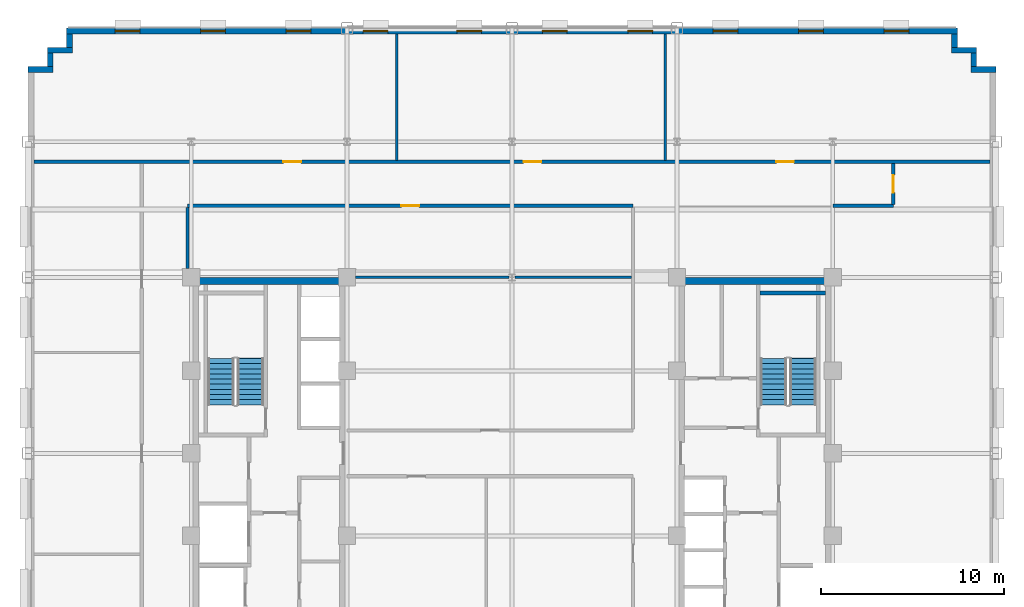
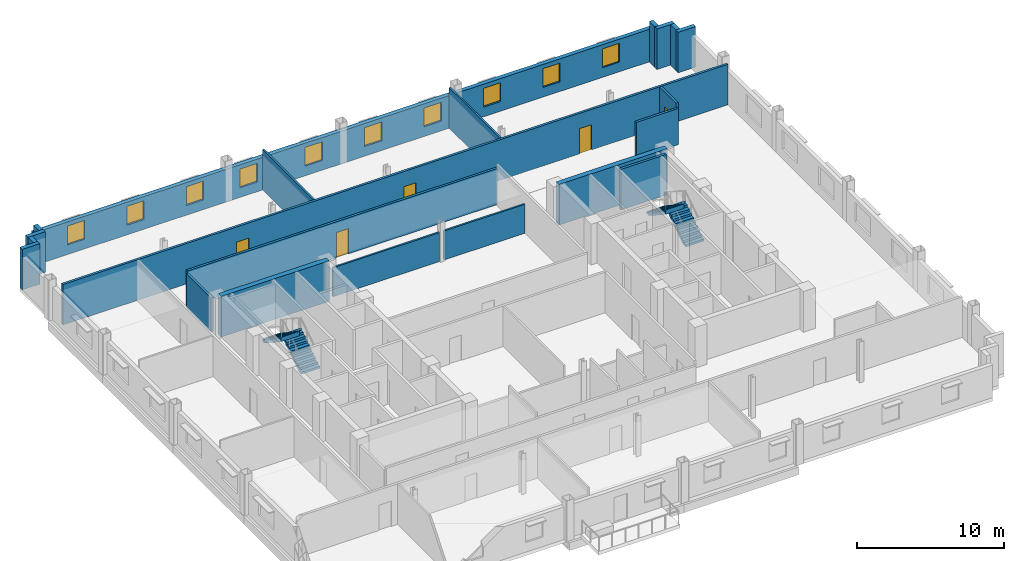
# One storey, part 9 of 13: 21 walls, 10 windows, 5 doors, 4 stair flights, 15 openings, 2 elements without a shape of their own.
"""IFC4 building model written with IfcOpenShell, lengths in metres."""

from ifc_helpers import new_model, si_unit, direction, frame, frame_2d, origin, place, context, subcontext, project, spatial, polyline, rectangle, outline, extrude, source, transform, mapped, material, layer, layer_set, type_object, type_shapes, element, fill, aggregate, save


model = new_model("IFC4")

# Units and contexts
model_context = context("Model", 3, precision=1e-05, world=origin(), true_north=direction((0.0, 1.0)))
body_context = subcontext(model_context, "Body", "Model", "MODEL_VIEW")
ifc_project = project(units=[si_unit("LENGTHUNIT", "METRE"), si_unit("AREAUNIT", "SQUARE_METRE"), si_unit("VOLUMEUNIT", "CUBIC_METRE"), si_unit("PLANEANGLEUNIT", "RADIAN"), si_unit("MASSUNIT", "GRAM", prefix="KILO")], contexts=[model_context])

# Site, building, storey
site_placement = place(None, origin())
site = spatial("IfcSite", under=ifc_project, at=site_placement, CompositionType="ELEMENT")
building_placement = place(site_placement, origin())
building = spatial("IfcBuilding", under=site, at=building_placement, Name="Nuvemarco Arch Tower", CompositionType="ELEMENT")
storey_placement = place(building_placement, frame((0.0, 0.0, 156.699951171875)))
storey = spatial("IfcBuildingStorey", under=building, at=storey_placement, Name="L41", CompositionType="ELEMENT", Elevation=156.699951171875)

# Walls
ifc_material_1 = material(Name="Precast concrete C45/55", Category="concrete")
ifc_layer_1 = layer(ifc_material_1, 0.320068359375, Name="EW-MID-320")
ifc_layer_set_1 = layer_set([ifc_layer_1], Name="Precast concrete C45/55")
wall_type_1 = type_object("IfcWallType", Name="EW-MID-320", PredefinedType="STANDARD", material=ifc_layer_set_1)
wall_1_placement = place(storey_placement, frame((25.030029296875, 20.93994140625, 0.0), z_axis=(0.0, 0.0, 1.0), x_axis=(1.0, 0.0, 0.0)))
element("IfcWall", 1, at=wall_1_placement, inside=storey, type_object=wall_type_1, Name="L41 exterior precast facade wall 7", PredefinedType="STANDARD", context=body_context, shape_type="SweptSolid", body=[
    extrude(rectangle(XDim=1.369873046875, YDim=0.320068359375, at=frame_2d((0.68505859375, 0.0))), origin(), (0.0, 0.0, 1.0), 3.360107421875),
])
wall_2_placement = place(storey_placement, frame((25.18994140625, 21.095947265625, 0.0), z_axis=(0.0, 0.0, 1.0), x_axis=(0.0, 1.0, 0.0)))
element("IfcWall", 2, at=wall_2_placement, inside=storey, type_object=wall_type_1, Name="L41 exterior precast facade wall 8", PredefinedType="STANDARD", context=body_context, shape_type="SweptSolid", body=[
    extrude(rectangle(XDim=0.738037109375, YDim=0.320068359375, at=frame_2d((0.369140625, 0.0))), origin(), (0.0, 0.0, 1.0), 3.360107421875),
])
wall_3_placement = place(storey_placement, frame((23.97998046875, 21.989990234375, 0.0), z_axis=(0.0, 0.0, 1.0), x_axis=(1.0, 0.0, 0.0)))
element("IfcWall", 3, at=wall_3_placement, inside=storey, type_object=wall_type_1, Name="L41 exterior precast facade wall 9", PredefinedType="STANDARD", context=body_context, shape_type="SweptSolid", body=[
    extrude(rectangle(XDim=1.3701171875, YDim=0.320068359375, at=frame_2d((0.68505859375, 0.0))), origin(), (0.0, 0.0, 1.0), 3.360107421875),
])
wall_4_placement = place(storey_placement, frame((24.139892578125, 22.14599609375, 0.0), z_axis=(0.0, 0.0, 1.0), x_axis=(0.0, 1.0, 0.0)))
element("IfcWall", 4, at=wall_4_placement, inside=storey, type_object=wall_type_1, Name="L41 exterior precast facade wall 10", PredefinedType="STANDARD", context=body_context, shape_type="SweptSolid", body=[
    extrude(rectangle(XDim=0.738037109375, YDim=0.320068359375, at=frame_2d((0.369140625, 0.0))), origin(), (0.0, 0.0, 1.0), 3.360107421875),
])

# Wall, openings, windows
wall_5_placement = place(storey_placement, frame((-24.300048828125, 23.0400390625, 0.0), z_axis=(0.0, 0.0, 1.0), x_axis=(1.0, 0.0, 0.0)))
wall_5 = element("IfcWall", 5, at=wall_5_placement, inside=storey, type_object=wall_type_1, Name="L41 exterior precast facade wall 11", PredefinedType="STANDARD", context=body_context, shape_type="SweptSolid", body=[
    extrude(rectangle(XDim=48.60009765625, YDim=0.320068359375, at=frame_2d((24.300048828125, 0.0))), origin(), (0.0, 0.0, 1.0), 2.705078125),
])
opening_1_placement = place(wall_5_placement, frame((2.655029296875, 0.0, 0.800048828125)))
opening_1 = element("IfcOpeningElement", 6, at=opening_1_placement, cuts=wall_5, Name="Opening WN-6", PredefinedType="OPENING", context=body_context, shape_type="SweptSolid", body=[
    extrude(rectangle(XDim=1.35009765625, YDim=1.56005859375, at=frame_2d((0.675048828125, 0.780029296875))), frame((0.0, 0.169921875, 0.0), z_axis=(0.0, -1.0, 0.0), x_axis=(1.0, 0.0, 0.0)), (0.0, 0.0, 1.0), 0.340087890625),
])
opening_2_placement = place(wall_5_placement, frame((7.31494140625, 0.0, 0.800048828125)))
opening_2 = element("IfcOpeningElement", 7, at=opening_2_placement, cuts=wall_5, Name="Opening WN-6", PredefinedType="OPENING", context=body_context, shape_type="SweptSolid", body=[
    extrude(rectangle(XDim=1.35009765625, YDim=1.56005859375, at=frame_2d((0.675048828125, 0.780029296875))), frame((0.0, 0.169921875, 0.0), z_axis=(0.0, -1.0, 0.0), x_axis=(1.0, 0.0, 0.0)), (0.0, 0.0, 1.0), 0.340087890625),
])
opening_3_placement = place(wall_5_placement, frame((11.97509765625, 0.0, 0.800048828125)))
opening_3 = element("IfcOpeningElement", 8, at=opening_3_placement, cuts=wall_5, Name="Opening WN-6", PredefinedType="OPENING", context=body_context, shape_type="SweptSolid", body=[
    extrude(rectangle(XDim=1.35009765625, YDim=1.56005859375, at=frame_2d((0.675048828125, 0.780029296875))), frame((0.0, 0.169921875, 0.0), z_axis=(0.0, -1.0, 0.0), x_axis=(1.0, 0.0, 0.0)), (0.0, 0.0, 1.0), 0.340087890625),
])
opening_4_placement = place(wall_5_placement, frame((16.18505859375, 0.0, 0.800048828125)))
opening_4 = element("IfcOpeningElement", 9, at=opening_4_placement, cuts=wall_5, Name="Opening WN-6", PredefinedType="OPENING", context=body_context, shape_type="SweptSolid", body=[
    extrude(rectangle(XDim=1.35009765625, YDim=1.56005859375, at=frame_2d((0.675048828125, 0.780029296875))), frame((0.0, 0.169921875, 0.0), z_axis=(0.0, -1.0, 0.0), x_axis=(1.0, 0.0, 0.0)), (0.0, 0.0, 1.0), 0.340087890625),
])
opening_5_placement = place(wall_5_placement, frame((21.294921875, 0.0, 0.800048828125)))
opening_5 = element("IfcOpeningElement", 10, at=opening_5_placement, cuts=wall_5, Name="Opening WN-6", PredefinedType="OPENING", context=body_context, shape_type="SweptSolid", body=[
    extrude(rectangle(XDim=1.35009765625, YDim=1.56005859375, at=frame_2d((0.675048828125, 0.780029296875))), frame((0.0, 0.169921875, 0.0), z_axis=(0.0, -1.0, 0.0), x_axis=(1.0, 0.0, 0.0)), (0.0, 0.0, 1.0), 0.340087890625),
])
opening_6_placement = place(wall_5_placement, frame((25.955078125, 0.0, 0.800048828125)))
opening_6 = element("IfcOpeningElement", 11, at=opening_6_placement, cuts=wall_5, Name="Opening WN-6", PredefinedType="OPENING", context=body_context, shape_type="SweptSolid", body=[
    extrude(rectangle(XDim=1.35009765625, YDim=1.56005859375, at=frame_2d((0.675048828125, 0.780029296875))), frame((0.0, 0.169921875, 0.0), z_axis=(0.0, -1.0, 0.0), x_axis=(1.0, 0.0, 0.0)), (0.0, 0.0, 1.0), 0.340087890625),
])
opening_7_placement = place(wall_5_placement, frame((30.614990234375, 0.0, 0.800048828125)))
opening_7 = element("IfcOpeningElement", 12, at=opening_7_placement, cuts=wall_5, Name="Opening WN-6", PredefinedType="OPENING", context=body_context, shape_type="SweptSolid", body=[
    extrude(rectangle(XDim=1.35009765625, YDim=1.56005859375, at=frame_2d((0.675048828125, 0.780029296875))), frame((0.0, 0.169921875, 0.0), z_axis=(0.0, -1.0, 0.0), x_axis=(1.0, 0.0, 0.0)), (0.0, 0.0, 1.0), 0.340087890625),
])
opening_8_placement = place(wall_5_placement, frame((35.27490234375, 0.0, 0.800048828125)))
opening_8 = element("IfcOpeningElement", 13, at=opening_8_placement, cuts=wall_5, Name="Opening WN-6", PredefinedType="OPENING", context=body_context, shape_type="SweptSolid", body=[
    extrude(rectangle(XDim=1.35009765625, YDim=1.56005859375, at=frame_2d((0.675048828125, 0.780029296875))), frame((0.0, 0.169921875, 0.0), z_axis=(0.0, -1.0, 0.0), x_axis=(1.0, 0.0, 0.0)), (0.0, 0.0, 1.0), 0.340087890625),
])
opening_9_placement = place(wall_5_placement, frame((39.93505859375, 0.0, 0.800048828125)))
opening_9 = element("IfcOpeningElement", 14, at=opening_9_placement, cuts=wall_5, Name="Opening WN-6", PredefinedType="OPENING", context=body_context, shape_type="SweptSolid", body=[
    extrude(rectangle(XDim=1.35009765625, YDim=1.56005859375, at=frame_2d((0.675048828125, 0.780029296875))), frame((0.0, 0.169921875, 0.0), z_axis=(0.0, -1.0, 0.0), x_axis=(1.0, 0.0, 0.0)), (0.0, 0.0, 1.0), 0.340087890625),
])
opening_10_placement = place(wall_5_placement, frame((44.594970703125, 0.0, 0.800048828125)))
opening_10 = element("IfcOpeningElement", 15, at=opening_10_placement, cuts=wall_5, Name="Opening WN-6", PredefinedType="OPENING", context=body_context, shape_type="SweptSolid", body=[
    extrude(rectangle(XDim=1.35009765625, YDim=1.56005859375, at=frame_2d((0.675048828125, 0.780029296875))), frame((0.0, 0.169921875, 0.0), z_axis=(0.0, -1.0, 0.0), x_axis=(1.0, 0.0, 0.0)), (0.0, 0.0, 1.0), 0.340087890625),
])
ifc_material_2 = material(Name="Insulated solar-control glass", Category="glass")
window_type = type_object("IfcWindowType", Name="WN-MID-1350x1560", PartitioningType="SINGLE_PANEL", PredefinedType="WINDOW", material=ifc_material_2)
shared_shape_1 = source(origin(), body_context, "Body", "SweptSolid", [
    extrude(rectangle(XDim=1.35009765625, YDim=1.56005859375, at=frame_2d((0.675048828125, 0.780029296875))), frame((0.0, 0.030029296875, 0.0), z_axis=(0.0, -1.0, 0.0), x_axis=(1.0, 0.0, 0.0)), (0.0, 0.0, 1.0), 0.06005859375),
])
type_shapes(window_type, [shared_shape_1])
window_1_placement = place(opening_1_placement, origin())
window_1 = element("IfcWindow", 16, at=window_1_placement, inside=storey, type_object=window_type, Name="L41 punched facade window 1", OverallHeight=1.56005859375, OverallWidth=1.35009765625, PartitioningType="SINGLE_PANEL", PredefinedType="WINDOW", context=body_context, shape_type="MappedRepresentation", body=[
    mapped(shared_shape_1, transform((0.0, 0.0, 0.0), scale=1.0)),
])
fill(opening_1, window_1)
window_2_placement = place(opening_2_placement, origin())
window_2 = element("IfcWindow", 17, at=window_2_placement, inside=storey, type_object=window_type, Name="L41 punched facade window 2", OverallHeight=1.56005859375, OverallWidth=1.35009765625, PartitioningType="SINGLE_PANEL", PredefinedType="WINDOW", context=body_context, shape_type="MappedRepresentation", body=[
    mapped(shared_shape_1, transform((0.0, 0.0, 0.0), scale=1.0)),
])
fill(opening_2, window_2)
window_3_placement = place(opening_3_placement, origin())
window_3 = element("IfcWindow", 18, at=window_3_placement, inside=storey, type_object=window_type, Name="L41 punched facade window 3", OverallHeight=1.56005859375, OverallWidth=1.35009765625, PartitioningType="SINGLE_PANEL", PredefinedType="WINDOW", context=body_context, shape_type="MappedRepresentation", body=[
    mapped(shared_shape_1, transform((0.0, 0.0, 0.0), scale=1.0)),
])
fill(opening_3, window_3)
window_4_placement = place(opening_4_placement, origin())
window_4 = element("IfcWindow", 19, at=window_4_placement, inside=storey, type_object=window_type, Name="L41 punched facade window 4", OverallHeight=1.56005859375, OverallWidth=1.35009765625, PartitioningType="SINGLE_PANEL", PredefinedType="WINDOW", context=body_context, shape_type="MappedRepresentation", body=[
    mapped(shared_shape_1, transform((0.0, 0.0, 0.0), scale=1.0)),
])
fill(opening_4, window_4)
window_5_placement = place(opening_5_placement, origin())
window_5 = element("IfcWindow", 20, at=window_5_placement, inside=storey, type_object=window_type, Name="L41 punched facade window 5", OverallHeight=1.56005859375, OverallWidth=1.35009765625, PartitioningType="SINGLE_PANEL", PredefinedType="WINDOW", context=body_context, shape_type="MappedRepresentation", body=[
    mapped(shared_shape_1, transform((0.0, 0.0, 0.0), scale=1.0)),
])
fill(opening_5, window_5)
window_6_placement = place(opening_6_placement, origin())
window_6 = element("IfcWindow", 21, at=window_6_placement, inside=storey, type_object=window_type, Name="L41 punched facade window 6", OverallHeight=1.56005859375, OverallWidth=1.35009765625, PartitioningType="SINGLE_PANEL", PredefinedType="WINDOW", context=body_context, shape_type="MappedRepresentation", body=[
    mapped(shared_shape_1, transform((0.0, 0.0, 0.0), scale=1.0)),
])
fill(opening_6, window_6)
window_7_placement = place(opening_7_placement, origin())
window_7 = element("IfcWindow", 22, at=window_7_placement, inside=storey, type_object=window_type, Name="L41 punched facade window 7", OverallHeight=1.56005859375, OverallWidth=1.35009765625, PartitioningType="SINGLE_PANEL", PredefinedType="WINDOW", context=body_context, shape_type="MappedRepresentation", body=[
    mapped(shared_shape_1, transform((0.0, 0.0, 0.0), scale=1.0)),
])
fill(opening_7, window_7)
window_8_placement = place(opening_8_placement, origin())
window_8 = element("IfcWindow", 23, at=window_8_placement, inside=storey, type_object=window_type, Name="L41 punched facade window 8", OverallHeight=1.56005859375, OverallWidth=1.35009765625, PartitioningType="SINGLE_PANEL", PredefinedType="WINDOW", context=body_context, shape_type="MappedRepresentation", body=[
    mapped(shared_shape_1, transform((0.0, 0.0, 0.0), scale=1.0)),
])
fill(opening_8, window_8)
window_9_placement = place(opening_9_placement, origin())
window_9 = element("IfcWindow", 24, at=window_9_placement, inside=storey, type_object=window_type, Name="L41 punched facade window 9", OverallHeight=1.56005859375, OverallWidth=1.35009765625, PartitioningType="SINGLE_PANEL", PredefinedType="WINDOW", context=body_context, shape_type="MappedRepresentation", body=[
    mapped(shared_shape_1, transform((0.0, 0.0, 0.0), scale=1.0)),
])
fill(opening_9, window_9)
window_10_placement = place(opening_10_placement, origin())
window_10 = element("IfcWindow", 25, at=window_10_placement, inside=storey, type_object=window_type, Name="L41 punched facade window 10", OverallHeight=1.56005859375, OverallWidth=1.35009765625, PartitioningType="SINGLE_PANEL", PredefinedType="WINDOW", context=body_context, shape_type="MappedRepresentation", body=[
    mapped(shared_shape_1, transform((0.0, 0.0, 0.0), scale=1.0)),
])
fill(opening_10, window_10)

# Walls
wall_6_placement = place(storey_placement, frame((-24.139892578125, 22.14599609375, 0.0), z_axis=(0.0, 0.0, 1.0), x_axis=(0.0, 1.0, 0.0)))
element("IfcWall", 26, at=wall_6_placement, inside=storey, type_object=wall_type_1, Name="L41 exterior precast facade wall 12", PredefinedType="STANDARD", context=body_context, shape_type="SweptSolid", body=[
    extrude(rectangle(XDim=0.738037109375, YDim=0.320068359375, at=frame_2d((0.369140625, 0.0))), origin(), (0.0, 0.0, 1.0), 3.360107421875),
])
wall_7_placement = place(storey_placement, frame((-25.35009765625, 21.989990234375, 0.0), z_axis=(0.0, 0.0, 1.0), x_axis=(1.0, 0.0, 0.0)))
element("IfcWall", 27, at=wall_7_placement, inside=storey, type_object=wall_type_1, Name="L41 exterior precast facade wall 13", PredefinedType="STANDARD", context=body_context, shape_type="SweptSolid", body=[
    extrude(rectangle(XDim=1.3701171875, YDim=0.320068359375, at=frame_2d((0.68505859375, 0.0))), origin(), (0.0, 0.0, 1.0), 3.360107421875),
])
wall_8_placement = place(storey_placement, frame((-25.18994140625, 21.095947265625, 0.0), z_axis=(0.0, 0.0, 1.0), x_axis=(0.0, 1.0, 0.0)))
element("IfcWall", 28, at=wall_8_placement, inside=storey, type_object=wall_type_1, Name="L41 exterior precast facade wall 14", PredefinedType="STANDARD", context=body_context, shape_type="SweptSolid", body=[
    extrude(rectangle(XDim=0.738037109375, YDim=0.320068359375, at=frame_2d((0.369140625, 0.0))), origin(), (0.0, 0.0, 1.0), 3.360107421875),
])
wall_9_placement = place(storey_placement, frame((-26.39990234375, 20.93994140625, 0.0), z_axis=(0.0, 0.0, 1.0), x_axis=(1.0, 0.0, 0.0)))
element("IfcWall", 29, at=wall_9_placement, inside=storey, type_object=wall_type_1, Name="L41 exterior precast facade wall 15", PredefinedType="STANDARD", context=body_context, shape_type="SweptSolid", body=[
    extrude(rectangle(XDim=1.369873046875, YDim=0.320068359375, at=frame_2d((0.68505859375, 0.0))), origin(), (0.0, 0.0, 1.0), 3.360107421875),
])
ifc_material_3 = material(Name="Concrete C60/75", Category="concrete")
ifc_layer_2 = layer(ifc_material_3, 0.39990234375, Name="WL-CORE-400")
ifc_layer_set_2 = layer_set([ifc_layer_2], Name="Concrete C60/75")
wall_type_2 = type_object("IfcWallType", Name="WL-CORE-400", PredefinedType="SHEAR", material=ifc_layer_set_2)
for number, where, z_axis, x_axis, name in (
    (30, (-17.5, 9.39990234375, 0.0), (0.0, 0.0, 1.0), (1.0, 0.0, 0.0), "L41 W-core shear wall N"),
    (31, (9.0, 9.39990234375, 0.0), (0.0, 0.0, 1.0), (1.0, 0.0, 0.0), "L41 E-core shear wall N"),
):
    element("IfcWall", number, at=place(storey_placement, frame(where, z_axis=z_axis, x_axis=x_axis)), inside=storey, type_object=wall_type_2, Name=name, PredefinedType="SHEAR", context=body_context, shape_type="SweptSolid", body=[
        extrude(rectangle(XDim=8.5, YDim=0.39990234375, at=frame_2d((4.25, 0.0))), origin(), (0.0, 0.0, 1.0), 3.3701171875),
    ])

# Wall, opening, door
ifc_material_4 = material(Name="Fire-rated gypsum drywall partition")
ifc_layer_3 = layer(ifc_material_4, 0.179931640625, Name="WL-CORR-180")
ifc_layer_set_3 = layer_set([ifc_layer_3], Name="Fire-rated gypsum drywall partition")
wall_type_3 = type_object("IfcWallType", Name="WL-CORR-180", PredefinedType="PARTITIONING", material=ifc_layer_set_3)
wall_10_placement = place(storey_placement, frame((-17.699951171875, 13.5, 0.0), z_axis=(0.0, 0.0, 1.0), x_axis=(1.0, 0.0, 0.0)))
wall_10 = element("IfcWall", 32, at=wall_10_placement, inside=storey, type_object=wall_type_3, Name="L41 interior wall IW-L41-012", PredefinedType="PARTITIONING", context=body_context, shape_type="SweptSolid", body=[
    extrude(rectangle(XDim=24.300048828125, YDim=0.179931640625, at=frame_2d((12.14990234375, 0.0))), origin(), (0.0, 0.0, 1.0), 2.998046875),
])
opening_11_placement = place(wall_10_placement, frame((11.669921875, 0.0, 0.0)))
opening_11 = element("IfcOpeningElement", 33, at=opening_11_placement, cuts=wall_10, Name="Opening FD-5", PredefinedType="OPENING", context=body_context, shape_type="SweptSolid", body=[
    extrude(rectangle(XDim=0.9599609375, YDim=2.10009765625, at=frame_2d((0.47998046875, 1.050048828125))), frame((0.0, 0.099853515625, 0.0), z_axis=(0.0, -1.0, 0.0), x_axis=(1.0, 0.0, 0.0)), (0.0, 0.0, 1.0), 0.199951171875),
])
ifc_material_5 = material(Name="Timber fire door", Category="wood")
door_type = type_object("IfcDoorType", Name="DR-CORR-FD", OperationType="NOTDEFINED", PredefinedType="DOOR", material=ifc_material_5)
shared_shape_2 = source(origin(), body_context, "Body", "SweptSolid", [
    extrude(rectangle(XDim=0.9599609375, YDim=2.10009765625, at=frame_2d((0.47998046875, 1.050048828125))), frame((0.0, 0.02490234375, 0.0), z_axis=(0.0, -1.0, 0.0), x_axis=(1.0, 0.0, 0.0)), (0.0, 0.0, 1.0), 0.050048828125),
])
type_shapes(door_type, [shared_shape_2])
door_1_placement = place(opening_11_placement, origin())
door_1 = element("IfcDoor", 34, at=door_1_placement, inside=storey, type_object=door_type, Name="L41 door DR-L41-IN_N1", OperationType="SINGLE_SWING_RIGHT", OverallHeight=2.10009765625, OverallWidth=0.9599609375, PredefinedType="DOOR", context=body_context, shape_type="MappedRepresentation", body=[
    mapped(shared_shape_2, transform((0.0, 0.0, 0.0), scale=1.0)),
])
fill(opening_11, door_1)

# Wall
wall_11_placement = place(storey_placement, frame((17.5, 13.5, 0.0), z_axis=(0.0, 0.0, 1.0), x_axis=(1.0, 0.0, 0.0)))
element("IfcWall", 35, at=wall_11_placement, inside=storey, type_object=wall_type_3, Name="L41 interior wall IW-L41-013", PredefinedType="PARTITIONING", context=body_context, shape_type="SweptSolid", body=[
    extrude(rectangle(XDim=3.300048828125, YDim=0.179931640625, at=frame_2d((1.64990234375, 0.0))), origin(), (0.0, 0.0, 1.0), 2.998046875),
])

# Wall, openings, doors
wall_12_placement = place(storey_placement, frame((-26.080078125, 15.89990234375, 0.0), z_axis=(0.0, 0.0, 1.0), x_axis=(1.0, 0.0, 0.0)))
wall_12 = element("IfcWall", 36, at=wall_12_placement, inside=storey, type_object=wall_type_3, Name="L41 interior wall IW-L41-014", PredefinedType="PARTITIONING", context=body_context, shape_type="SweptSolid", body=[
    extrude(rectangle(XDim=52.16015625, YDim=0.179931640625, at=frame_2d((26.080078125, 0.0))), origin(), (0.0, 0.0, 1.0), 3.360107421875),
])
opening_12_placement = place(wall_12_placement, frame((26.719970703125, 0.0, 0.0)))
opening_12 = element("IfcOpeningElement", 37, at=opening_12_placement, cuts=wall_12, Name="Opening FD-5", PredefinedType="OPENING", context=body_context, shape_type="SweptSolid", body=[
    extrude(rectangle(XDim=0.9599609375, YDim=2.10009765625, at=frame_2d((0.47998046875, 1.050048828125))), frame((0.0, 0.099853515625, 0.0), z_axis=(0.0, -1.0, 0.0), x_axis=(1.0, 0.0, 0.0)), (0.0, 0.0, 1.0), 0.199951171875),
])
opening_13_placement = place(wall_12_placement, frame((40.5, 0.0, 0.0)))
opening_13 = element("IfcOpeningElement", 38, at=opening_13_placement, cuts=wall_12, Name="Opening FD-5", PredefinedType="OPENING", context=body_context, shape_type="SweptSolid", body=[
    extrude(rectangle(XDim=0.9599609375, YDim=2.10009765625, at=frame_2d((0.47998046875, 1.050048828125))), frame((0.0, 0.099853515625, 0.0), z_axis=(0.0, -1.0, 0.0), x_axis=(1.0, 0.0, 0.0)), (0.0, 0.0, 1.0), 0.199951171875),
])
opening_14_placement = place(wall_12_placement, frame((13.610107421875, 0.0, 0.0)))
opening_14 = element("IfcOpeningElement", 39, at=opening_14_placement, cuts=wall_12, Name="Opening FD-5", PredefinedType="OPENING", context=body_context, shape_type="SweptSolid", body=[
    extrude(rectangle(XDim=0.9599609375, YDim=2.10009765625, at=frame_2d((0.47998046875, 1.050048828125))), frame((0.0, 0.099853515625, 0.0), z_axis=(0.0, -1.0, 0.0), x_axis=(1.0, 0.0, 0.0)), (0.0, 0.0, 1.0), 0.199951171875),
])
door_2_placement = place(opening_12_placement, origin())
door_2 = element("IfcDoor", 40, at=door_2_placement, inside=storey, type_object=door_type, Name="L41 door DR-L41-N_2", OperationType="SINGLE_SWING_LEFT", OverallHeight=2.10009765625, OverallWidth=0.9599609375, PredefinedType="DOOR", context=body_context, shape_type="MappedRepresentation", body=[
    mapped(shared_shape_2, transform((0.0, 0.0, 0.0), scale=1.0)),
])
fill(opening_12, door_2)
door_3_placement = place(opening_13_placement, origin())
door_3 = element("IfcDoor", 41, at=door_3_placement, inside=storey, type_object=door_type, Name="L41 door DR-L41-N_3", OperationType="SINGLE_SWING_LEFT", OverallHeight=2.10009765625, OverallWidth=0.9599609375, PredefinedType="DOOR", context=body_context, shape_type="MappedRepresentation", body=[
    mapped(shared_shape_2, transform((0.0, 0.0, 0.0), scale=1.0)),
])
fill(opening_13, door_3)
door_4_placement = place(opening_14_placement, origin())
door_4 = element("IfcDoor", 42, at=door_4_placement, inside=storey, type_object=door_type, Name="L41 door DR-L41-N_1", OperationType="SINGLE_SWING_LEFT", OverallHeight=2.10009765625, OverallWidth=0.9599609375, PredefinedType="DOOR", context=body_context, shape_type="MappedRepresentation", body=[
    mapped(shared_shape_2, transform((0.0, 0.0, 0.0), scale=1.0)),
])
fill(opening_14, door_4)

# Wall
wall_13_placement = place(storey_placement, frame((-17.699951171875, 10.071044921875, 0.0), z_axis=(0.0, 0.0, 1.0), x_axis=(0.0, 1.0, 0.0)))
element("IfcWall", 43, at=wall_13_placement, inside=storey, type_object=wall_type_3, Name="L41 interior wall IW-L41-018", PredefinedType="PARTITIONING", context=body_context, shape_type="SweptSolid", body=[
    extrude(rectangle(XDim=3.343017578125, YDim=0.179931640625, at=frame_2d((1.67138671875, 0.0))), origin(), (0.0, 0.0, 1.0), 2.816162109375),
])

# Wall, opening, door
wall_14_placement = place(storey_placement, frame((20.800048828125, 13.5859375, 0.0), z_axis=(0.0, 0.0, 1.0), x_axis=(0.0, 1.0, 0.0)))
wall_14 = element("IfcWall", 44, at=wall_14_placement, inside=storey, type_object=wall_type_3, Name="L41 interior wall IW-L41-031", PredefinedType="PARTITIONING", context=body_context, shape_type="SweptSolid", body=[
    extrude(rectangle(XDim=2.22802734375, YDim=0.179931640625, at=frame_2d((1.114013671875, 0.0))), origin(), (0.0, 0.0, 1.0), 3.360107421875),
])
opening_15_placement = place(wall_14_placement, frame((0.634033203125, 0.0, 0.0)))
opening_15 = element("IfcOpeningElement", 45, at=opening_15_placement, cuts=wall_14, Name="Opening FD-5", PredefinedType="OPENING", context=body_context, shape_type="SweptSolid", body=[
    extrude(rectangle(XDim=0.9599609375, YDim=2.10009765625, at=frame_2d((0.47998046875, 1.050048828125))), frame((0.0, 0.099853515625, 0.0), z_axis=(0.0, -1.0, 0.0), x_axis=(1.0, 0.0, 0.0)), (0.0, 0.0, 1.0), 0.199951171875),
])
door_5_placement = place(opening_15_placement, origin())
door_5 = element("IfcDoor", 46, at=door_5_placement, inside=storey, type_object=door_type, Name="L41 door DR-L41-E_1", OperationType="SINGLE_SWING_RIGHT", OverallHeight=2.10009765625, OverallWidth=0.9599609375, PredefinedType="DOOR", context=body_context, shape_type="MappedRepresentation", body=[
    mapped(shared_shape_2, transform((0.0, 0.0, 0.0), scale=1.0)),
])
fill(opening_15, door_5)

# Walls
ifc_material_6 = material(Name="Gypsum plasterboard partition")
ifc_layer_4 = layer(ifc_material_6, 0.139892578125, Name="WL-ROOM-140")
ifc_layer_set_4 = layer_set([ifc_layer_4], Name="Gypsum plasterboard partition")
wall_type_4 = type_object("IfcWallType", Name="WL-ROOM-140", PredefinedType="PARTITIONING", material=ifc_layer_set_4)
wall_15_placement = place(storey_placement, frame((-8.529052734375, 9.60009765625, 0.0), z_axis=(0.0, 0.0, 1.0), x_axis=(1.0, 0.0, 0.0)))
element("IfcWall", 47, at=wall_15_placement, inside=storey, type_object=wall_type_4, Name="L41 interior wall IW-L41-010", PredefinedType="PARTITIONING", context=body_context, shape_type="SweptSolid", body=[
    extrude(rectangle(XDim=8.35302734375, YDim=0.139892578125, at=frame_2d((4.176513671875, 0.0))), origin(), (0.0, 0.0, 1.0), 2.405029296875),
])
wall_16_placement = place(storey_placement, frame((0.176025390625, 9.60009765625, 0.0), z_axis=(0.0, 0.0, 1.0), x_axis=(1.0, 0.0, 0.0)))
element("IfcWall", 48, at=wall_16_placement, inside=storey, type_object=wall_type_4, Name="L41 interior wall IW-L41-011", PredefinedType="PARTITIONING", context=body_context, shape_type="SweptSolid", body=[
    extrude(rectangle(XDim=6.337890625, YDim=0.139892578125, at=frame_2d((3.1689453125, 0.0))), origin(), (0.0, 0.0, 1.0), 2.405029296875),
])
for number, where, z_axis, x_axis, name in (
    (49, (-6.280029296875, 15.986083984375, 0.0), (0.0, 0.0, 1.0), (0.0, 1.0, 0.0), "L41 interior wall IW-L41-020"),
    (50, (8.35009765625, 15.986083984375, 0.0), (0.0, 0.0, 1.0), (0.0, 1.0, 0.0), "L41 interior wall IW-L41-029"),
):
    element("IfcWall", number, at=place(storey_placement, frame(where, z_axis=z_axis, x_axis=x_axis)), inside=storey, type_object=wall_type_4, Name=name, PredefinedType="PARTITIONING", context=body_context, shape_type="SweptSolid", body=[
        extrude(rectangle(XDim=6.893798828125, YDim=0.139892578125, at=frame_2d((3.44677734375, 0.0))), origin(), (0.0, 0.0, 1.0), 3.360107421875),
    ])
ifc_material_7 = material(Name="Concrete C50/60", Category="concrete")
ifc_layer_5 = layer(ifc_material_7, 0.199951171875, Name="WL-SHAFT-220")
ifc_layer_set_5 = layer_set([ifc_layer_5], Name="Concrete C50/60")
wall_type_5 = type_object("IfcWallType", Name="WL-SHAFT-220", PredefinedType="SHEAR", material=ifc_layer_set_5)
wall_17_placement = place(storey_placement, frame((13.534912109375, 8.75, 0.0), z_axis=(0.0, 0.0, 1.0), x_axis=(1.0, 0.0, 0.0)))
element("IfcWall", 51, at=wall_17_placement, inside=storey, type_object=wall_type_5, Name="L41 structural shaft wall SW-L41-E-ST2N", PredefinedType="SHEAR", context=body_context, shape_type="SweptSolid", body=[
    extrude(rectangle(XDim=3.570068359375, YDim=0.199951171875, at=frame_2d((1.78515625, 0.0))), origin(), (0.0, 0.0, 1.0), 3.3701171875),
])

# Stair, stair flights
stair_type = type_object("IfcStairType", Name="ST-CORE-20R", PredefinedType="HALF_TURN_STAIR", material=ifc_material_1)
stair_1_placement = place(storey_placement, origin())
stair_1 = element("IfcStair", 52, at=stair_1_placement, inside=storey, type_object=stair_type, Name="L41 Protected Exit Stair ST-1", PredefinedType="HALF_TURN_STAIR")
stair_flight_type = type_object("IfcStairFlightType", Name="SF-CORE-20R", PredefinedType="STRAIGHT", material=ifc_material_1)
stair_flight_1_placement = place(storey_placement, frame((-14.264892578125, 2.64990234375, 0.0), z_axis=(0.0, 0.0, 1.0), x_axis=(0.0, 1.0, 0.0)))
stair_flight_1 = element("IfcStairFlight", 53, at=stair_flight_1_placement, type_object=stair_flight_type, Name="ST-20R flight 1", NumberOfRisers=10, NumberOfTreads=9, PredefinedType="STRAIGHT", RiserHeight=0.1825, TreadLength=0.28, context=body_context, shape_type="SweptSolid", body=[
    extrude(outline(polyline([(0.0, 0.0), (0.0, 0.1826171875), (0.280029296875, 0.1826171875), (0.280029296875, 0.364990234375), (0.56005859375, 0.364990234375), (0.56005859375, 0.547607421875), (0.840087890625, 0.547607421875), (0.840087890625, 0.72998046875), (1.1201171875, 0.72998046875), (1.1201171875, 0.91259765625), (1.39990234375, 0.91259765625), (1.39990234375, 1.094970703125), (1.679931640625, 1.094970703125), (1.679931640625, 1.277587890625), (1.9599609375, 1.277587890625), (1.9599609375, 1.4599609375), (2.239990234375, 1.4599609375), (2.239990234375, 1.642578125), (2.52001953125, 1.642578125), (2.52001953125, 1.824951171875), (2.5400390625, 1.824951171875), (2.5400390625, 1.45166015625), (0.312744140625, 0.0), (0.0, 0.0)])), frame((0.0, 0.72509765625, 0.0), z_axis=(0.0, -1.0, 0.0), x_axis=(1.0, 0.0, 0.0)), (0.0, 0.0, 1.0), 1.449951171875),
])
stair_flight_2_placement = place(storey_placement, frame((-15.875, 5.169921875, 1.824951171875), z_axis=(0.0, 0.0, 1.0), x_axis=(0.0, -1.0, 0.0)))
stair_flight_2 = element("IfcStairFlight", 54, at=stair_flight_2_placement, type_object=stair_flight_type, Name="ST-20R flight 2", NumberOfRisers=10, NumberOfTreads=9, PredefinedType="STRAIGHT", RiserHeight=0.1825, TreadLength=0.28, context=body_context, shape_type="SweptSolid", body=[
    extrude(outline(polyline([(0.0, 0.0), (0.0, 0.1826171875), (0.280029296875, 0.1826171875), (0.280029296875, 0.364990234375), (0.56005859375, 0.364990234375), (0.56005859375, 0.547607421875), (0.840087890625, 0.547607421875), (0.840087890625, 0.72998046875), (1.1201171875, 0.72998046875), (1.1201171875, 0.91259765625), (1.39990234375, 0.91259765625), (1.39990234375, 1.094970703125), (1.679931640625, 1.094970703125), (1.679931640625, 1.277587890625), (1.9599609375, 1.277587890625), (1.9599609375, 1.4599609375), (2.239990234375, 1.4599609375), (2.239990234375, 1.642578125), (2.52001953125, 1.642578125), (2.52001953125, 1.824951171875), (2.5400390625, 1.824951171875), (2.5400390625, 1.45166015625), (0.312744140625, 0.0), (0.0, 0.0)])), frame((0.0, 0.72509765625, 0.0), z_axis=(0.0, -1.0, 0.0), x_axis=(1.0, 0.0, 0.0)), (0.0, 0.0, 1.0), 1.449951171875),
])
aggregate(stair_1, [stair_flight_1, stair_flight_2])

stair_2_placement = place(storey_placement, origin())
stair_2 = element("IfcStair", 55, at=stair_2_placement, inside=storey, type_object=stair_type, Name="L41 Protected Exit Stair ST-2", PredefinedType="HALF_TURN_STAIR")
stair_flight_3_placement = place(storey_placement, frame((15.875, 2.64990234375, 0.0), z_axis=(0.0, 0.0, 1.0), x_axis=(0.0, 1.0, 0.0)))
stair_flight_3 = element("IfcStairFlight", 56, at=stair_flight_3_placement, type_object=stair_flight_type, Name="ST-20R flight 1", NumberOfRisers=10, NumberOfTreads=9, PredefinedType="STRAIGHT", RiserHeight=0.1825, TreadLength=0.28, context=body_context, shape_type="SweptSolid", body=[
    extrude(outline(polyline([(0.0, 0.0), (0.0, 0.1826171875), (0.280029296875, 0.1826171875), (0.280029296875, 0.364990234375), (0.56005859375, 0.364990234375), (0.56005859375, 0.547607421875), (0.840087890625, 0.547607421875), (0.840087890625, 0.72998046875), (1.1201171875, 0.72998046875), (1.1201171875, 0.91259765625), (1.39990234375, 0.91259765625), (1.39990234375, 1.094970703125), (1.679931640625, 1.094970703125), (1.679931640625, 1.277587890625), (1.9599609375, 1.277587890625), (1.9599609375, 1.4599609375), (2.239990234375, 1.4599609375), (2.239990234375, 1.642578125), (2.52001953125, 1.642578125), (2.52001953125, 1.824951171875), (2.5400390625, 1.824951171875), (2.5400390625, 1.45166015625), (0.312744140625, 0.0), (0.0, 0.0)])), frame((0.0, 0.72509765625, 0.0), z_axis=(0.0, -1.0, 0.0), x_axis=(1.0, 0.0, 0.0)), (0.0, 0.0, 1.0), 1.449951171875),
])
stair_flight_4_placement = place(storey_placement, frame((14.264892578125, 5.169921875, 1.824951171875), z_axis=(0.0, 0.0, 1.0), x_axis=(0.0, -1.0, 0.0)))
stair_flight_4 = element("IfcStairFlight", 57, at=stair_flight_4_placement, type_object=stair_flight_type, Name="ST-20R flight 2", NumberOfRisers=10, NumberOfTreads=9, PredefinedType="STRAIGHT", RiserHeight=0.1825, TreadLength=0.28, context=body_context, shape_type="SweptSolid", body=[
    extrude(outline(polyline([(0.0, 0.0), (0.0, 0.1826171875), (0.280029296875, 0.1826171875), (0.280029296875, 0.364990234375), (0.56005859375, 0.364990234375), (0.56005859375, 0.547607421875), (0.840087890625, 0.547607421875), (0.840087890625, 0.72998046875), (1.1201171875, 0.72998046875), (1.1201171875, 0.91259765625), (1.39990234375, 0.91259765625), (1.39990234375, 1.094970703125), (1.679931640625, 1.094970703125), (1.679931640625, 1.277587890625), (1.9599609375, 1.277587890625), (1.9599609375, 1.4599609375), (2.239990234375, 1.4599609375), (2.239990234375, 1.642578125), (2.52001953125, 1.642578125), (2.52001953125, 1.824951171875), (2.5400390625, 1.824951171875), (2.5400390625, 1.45166015625), (0.312744140625, 0.0), (0.0, 0.0)])), frame((0.0, 0.72509765625, 0.0), z_axis=(0.0, -1.0, 0.0), x_axis=(1.0, 0.0, 0.0)), (0.0, 0.0, 1.0), 1.449951171875),
])
aggregate(stair_2, [stair_flight_3, stair_flight_4])

save(model, "model.ifc")
